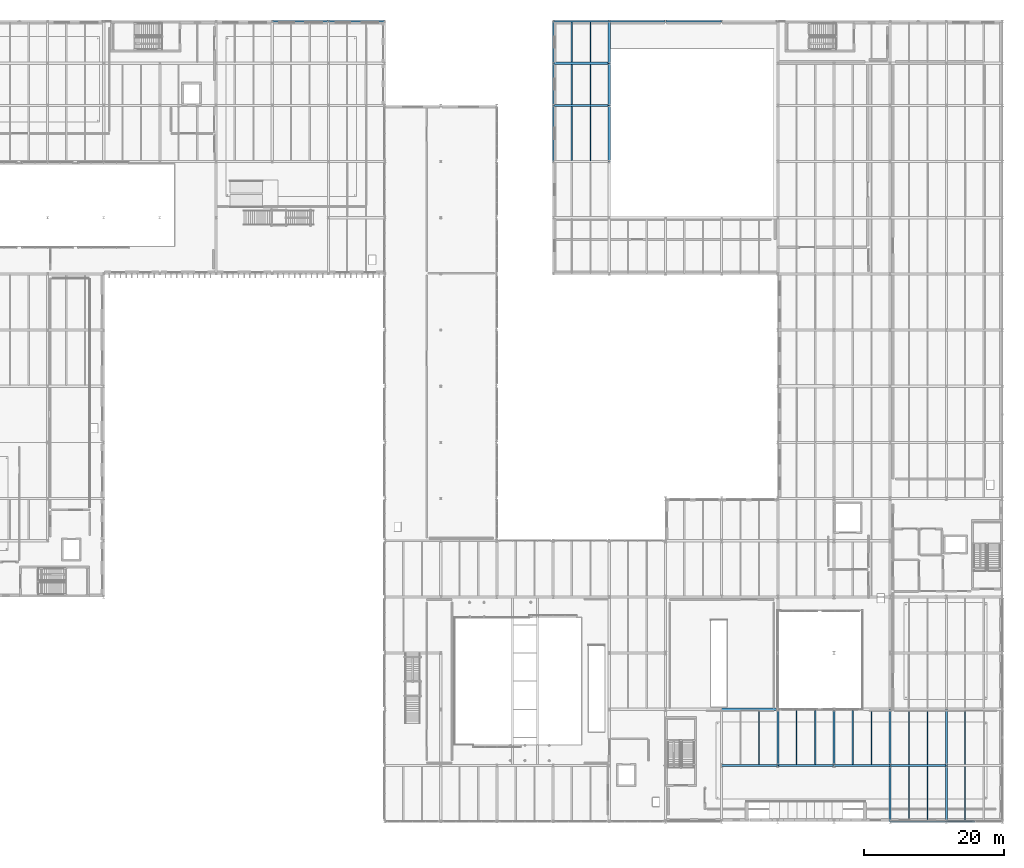
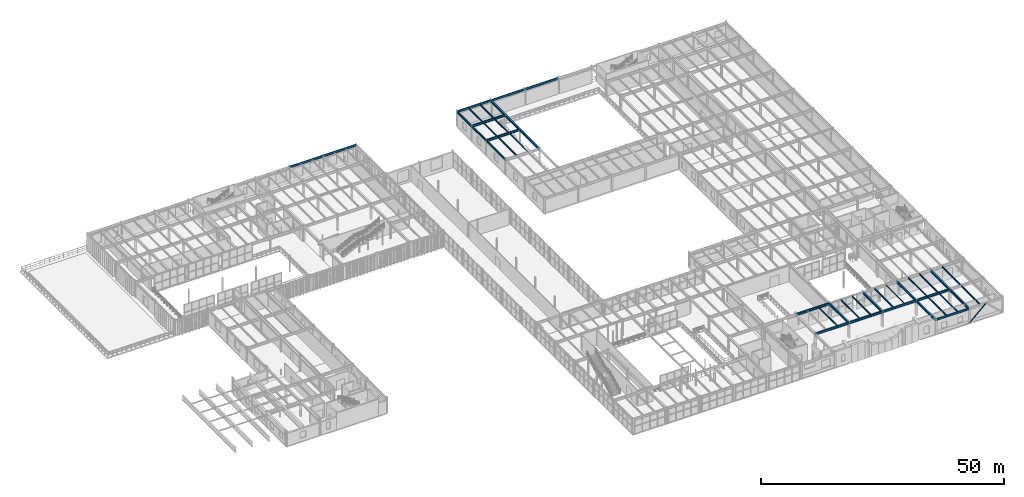
# One storey, part 62 of 122: 42 beams, 1 member.
"""IFC4 building model written with IfcOpenShell, lengths in metres."""

from ifc_helpers import new_model, si_unit, direction, frame, origin, origin_2d, place, context, subcontext, project, spatial, hollow_circle, i_section, extrude, material, material_profile, profile_set, type_object, element, save


model = new_model("IFC4")

# Units and contexts
model_context = context("Model", 3, precision=1e-05, world=origin(), true_north=direction((0.0, 1.0)))
body_context = subcontext(model_context, "Body", "Model", "MODEL_VIEW")
ifc_project = project(units=[si_unit("LENGTHUNIT", "METRE"), si_unit("AREAUNIT", "SQUARE_METRE"), si_unit("VOLUMEUNIT", "CUBIC_METRE"), si_unit("PLANEANGLEUNIT", "RADIAN"), si_unit("MASSUNIT", "GRAM", prefix="KILO")], contexts=[model_context])

# Site, building, storey
site_placement = place(None, origin())
site = spatial("IfcSite", under=ifc_project, at=site_placement, CompositionType="ELEMENT")
building_placement = place(site_placement, origin())
building = spatial("IfcBuilding", under=site, at=building_placement, Name="Sundkrona Museum", CompositionType="ELEMENT")
storey_placement = place(building_placement, frame((0.0, 0.0, 5.39990234375)))
storey = spatial("IfcBuildingStorey", under=building, at=storey_placement, Name="L01", CompositionType="ELEMENT", Elevation=5.39990234375)

# Beams
ifc_material = material(Name="Steel S355J2", Category="steel")
ifc_material_profile_1 = material_profile(ifc_material, i_section(OverallWidth=0.300048828125, OverallDepth=0.5400390625, WebThickness=0.012451171875, FlangeThickness=0.02392578125, FilletRadius=0.027099609375, at=origin_2d()), Name="HEA 550")
ifc_profile_set_1 = profile_set([ifc_material_profile_1], Name="Steel S355J2")
beam_type_1 = type_object("IfcBeamType", Name="B-HEA550", PredefinedType="BEAM", material=ifc_profile_set_1)
for number, where, z_axis, x_axis, name in (
    (1, (128.0, 8.0, 3.650146484375), (1.0, 0.0, 0.0), (0.0, 1.0, 0.0), "L01 Girder X-0820"),
    (2, (136.0, 8.0, 3.650146484375), (1.0, 0.0, 0.0), (0.0, 1.0, 0.0), "L01 Girder X-0821"),
    (3, (144.0, 8.0, 3.650146484375), (1.0, 0.0, 0.0), (0.0, 1.0, 0.0), "L01 Girder X-0822"),
    (4, (152.0, 8.0, 3.650146484375), (1.0, 0.0, 0.0), (0.0, 1.0, 0.0), "L01 Girder X-0823"),
    (5, (128.0, 16.0, 3.650146484375), (1.0, 0.0, 0.0), (0.0, 1.0, 0.0), "L01 Girder X-0827"),
    (6, (104.0, 102.0, 3.670166015625), (1.0, 0.0, 0.0), (0.0, 1.0, 0.0), "L01 Girder X-0929"),
    (7, (104.0, 108.0, 3.670166015625), (1.0, 0.0, 0.0), (0.0, 1.0, 0.0), "L01 Girder X-0942"),
    (8, (112.0, 94.0, 3.670166015625), (0.0, 1.0, 0.0), (-1.0, 0.0, 0.0), "L01 Girder Y-1039"),
):
    element("IfcBeam", number, at=place(storey_placement, frame(where, z_axis=z_axis, x_axis=x_axis)), inside=storey, type_object=beam_type_1, Name=name, PredefinedType="BEAM", context=body_context, shape_type="SweptSolid", body=[
        extrude(i_section(OverallWidth=0.300048828125, OverallDepth=0.5400390625, WebThickness=0.012451171875, FlangeThickness=0.02392578125, FilletRadius=0.027099609375, at=origin_2d()), origin(), (0.0, 0.0, 1.0), 8.0),
    ])
for number, where, z_axis, x_axis, name in (
    (9, (112.0, 102.0, 3.670166015625), (0.0, 1.0, 0.0), (-1.0, 0.0, 0.0), "L01 Girder Y-1040"),
    (10, (112.0, 108.0, 3.670166015625), (0.0, 1.0, 0.0), (-1.0, 0.0, 0.0), "L01 Girder Y-1041"),
):
    element("IfcBeam", number, at=place(storey_placement, frame(where, z_axis=z_axis, x_axis=x_axis)), inside=storey, type_object=beam_type_1, Name=name, PredefinedType="BEAM", context=body_context, shape_type="SweptSolid", body=[
        extrude(i_section(OverallWidth=0.300048828125, OverallDepth=0.5400390625, WebThickness=0.012451171875, FlangeThickness=0.02392578125, FilletRadius=0.027099609375, at=origin_2d()), origin(), (0.0, 0.0, 1.0), 6.0),
    ])
for number, where, z_axis, x_axis, name in (
    (11, (136.0, 8.0, 3.650146484375), (0.0, 1.0, 0.0), (-1.0, 0.0, 0.0), "L01 Girder Y-1054"),
    (12, (144.0, 8.0, 3.650146484375), (0.0, 1.0, 0.0), (-1.0, 0.0, 0.0), "L01 Girder Y-1068"),
    (13, (152.0, 0.0, 3.650146484375), (0.0, 1.0, 0.0), (-1.0, 0.0, 0.0), "L01 Girder Y-1079"),
    (14, (152.0, 8.0, 3.650146484375), (0.0, 1.0, 0.0), (-1.0, 0.0, 0.0), "L01 Girder Y-1080"),
    (15, (160.0, 0.0, 3.650146484375), (0.0, 1.0, 0.0), (-1.0, 0.0, 0.0), "L01 Girder Y-1094"),
    (16, (160.0, 8.0, 3.650146484375), (0.0, 1.0, 0.0), (-1.0, 0.0, 0.0), "L01 Girder Y-1095"),
):
    element("IfcBeam", number, at=place(storey_placement, frame(where, z_axis=z_axis, x_axis=x_axis)), inside=storey, type_object=beam_type_1, Name=name, PredefinedType="BEAM", context=body_context, shape_type="SweptSolid", body=[
        extrude(i_section(OverallWidth=0.300048828125, OverallDepth=0.5400390625, WebThickness=0.012451171875, FlangeThickness=0.02392578125, FilletRadius=0.027099609375, at=origin_2d()), origin(), (0.0, 0.0, 1.0), 8.0),
    ])

# Member
ifc_material_profile_2 = material_profile(ifc_material, hollow_circle(Radius=0.136474609375, WallThickness=0.012451171875, at=origin_2d()), Name="CHS 273.0x12.5")
ifc_profile_set_2 = profile_set([ifc_material_profile_2], Name="Steel S355J2")
member_type = type_object("IfcMemberType", Name="BR-CHS273", PredefinedType="BRACE", material=ifc_profile_set_2)
member_placement = place(storey_placement, frame((160.0, 0.0, 0.0), z_axis=(0.734081571746, 0.0, 0.679061297692), x_axis=(0.0, 1.0, 0.0)))
element("IfcMember", 17, at=member_placement, inside=storey, type_object=member_type, Name="CBR-1 L01 Concentric Chevron Brace 003A", PredefinedType="BRACE", context=body_context, shape_type="SweptSolid", body=[
    extrude(hollow_circle(Radius=0.136474609375, WallThickness=0.012451171875, at=origin_2d()), origin(), (0.0, 0.0, 1.0), 5.448974609375),
])

# Beams
ifc_material_profile_3 = material_profile(ifc_material, i_section(OverallWidth=0.091064453125, OverallDepth=0.179931640625, WebThickness=0.00537109375, FlangeThickness=0.008056640625, FilletRadius=0.009033203125, at=origin_2d()), Name="IPE 180")
ifc_profile_set_3 = profile_set([ifc_material_profile_3], Name="Steel S355J2")
beam_type_2 = type_object("IfcBeamType", Name="J-IPE180", PredefinedType="JOIST", material=ifc_profile_set_3)
beam_1_placement = place(storey_placement, frame((109.333251953125, 94.14404296875, 3.85009765625), z_axis=(0.0, 1.0, 0.0), x_axis=(-1.0, 0.0, 0.0)))
element("IfcBeam", 18, at=beam_1_placement, inside=storey, type_object=beam_type_2, Name="L01 Composite Joist 0655", PredefinedType="JOIST", context=body_context, shape_type="SweptSolid", body=[
    extrude(i_section(OverallWidth=0.091064453125, OverallDepth=0.179931640625, WebThickness=0.00537109375, FlangeThickness=0.008056640625, FilletRadius=0.009033203125, at=origin_2d()), origin(), (0.0, 0.0, 1.0), 7.7119140625),
])
ifc_material_profile_4 = material_profile(ifc_material, i_section(OverallWidth=0.1201171875, OverallDepth=0.239990234375, WebThickness=0.006103515625, FlangeThickness=0.009765625, FilletRadius=0.014892578125, at=origin_2d()), Name="IPE 240")
ifc_profile_set_4 = profile_set([ifc_material_profile_4], Name="Steel S355J2")
beam_type_3 = type_object("IfcBeamType", Name="J-IPE240", PredefinedType="JOIST", material=ifc_profile_set_4)
beam_2_placement = place(storey_placement, frame((149.333251953125, 8.14404296875, 3.800048828125), z_axis=(0.0, 1.0, 0.0), x_axis=(-1.0, 0.0, 0.0)))
element("IfcBeam", 19, at=beam_2_placement, inside=storey, type_object=beam_type_3, Name="L01 Composite Joist 0705", PredefinedType="JOIST", context=body_context, shape_type="SweptSolid", body=[
    extrude(i_section(OverallWidth=0.1201171875, OverallDepth=0.239990234375, WebThickness=0.006103515625, FlangeThickness=0.009765625, FilletRadius=0.014892578125, at=origin_2d()), origin(), (0.0, 0.0, 1.0), 7.7119140625),
])
ifc_material_profile_5 = material_profile(ifc_material, i_section(OverallWidth=0.14990234375, OverallDepth=0.300048828125, WebThickness=0.007080078125, FlangeThickness=0.0107421875, FilletRadius=0.014892578125, at=origin_2d()), Name="IPE 300")
ifc_profile_set_5 = profile_set([ifc_material_profile_5], Name="Steel S355J2")
beam_type_4 = type_object("IfcBeamType", Name="J-IPE300", PredefinedType="JOIST", material=ifc_profile_set_5)
beam_3_placement = place(storey_placement, frame((133.333251953125, 8.14404296875, 3.77001953125), z_axis=(0.0, 1.0, 0.0), x_axis=(-1.0, 0.0, 0.0)))
element("IfcBeam", 20, at=beam_3_placement, inside=storey, type_object=beam_type_4, Name="L01 Composite Joist 0675", PredefinedType="JOIST", context=body_context, shape_type="SweptSolid", body=[
    extrude(i_section(OverallWidth=0.14990234375, OverallDepth=0.300048828125, WebThickness=0.007080078125, FlangeThickness=0.0107421875, FilletRadius=0.014892578125, at=origin_2d()), origin(), (0.0, 0.0, 1.0), 7.7119140625),
])
ifc_material_profile_6 = material_profile(ifc_material, i_section(OverallWidth=0.169921875, OverallDepth=0.360107421875, WebThickness=0.008056640625, FlangeThickness=0.0126953125, FilletRadius=0.01806640625, at=origin_2d()), Name="IPE 360")
ifc_profile_set_6 = profile_set([ifc_material_profile_6], Name="Steel S355J2")
beam_type_5 = type_object("IfcBeamType", Name="J-IPE360", PredefinedType="JOIST", material=ifc_profile_set_6)
beam_4_placement = place(storey_placement, frame((106.666748046875, 94.14404296875, 3.760009765625), z_axis=(0.0, 1.0, 0.0), x_axis=(-1.0, 0.0, 0.0)))
element("IfcBeam", 21, at=beam_4_placement, inside=storey, type_object=beam_type_5, Name="L01 Composite Joist 0654", PredefinedType="JOIST", context=body_context, shape_type="SweptSolid", body=[
    extrude(i_section(OverallWidth=0.169921875, OverallDepth=0.360107421875, WebThickness=0.008056640625, FlangeThickness=0.0126953125, FilletRadius=0.01806640625, at=origin_2d()), origin(), (0.0, 0.0, 1.0), 7.7119140625),
])
for number, where, z_axis, x_axis, name in (
    (22, (106.666748046875, 102.14404296875, 3.760009765625), (0.0, 1.0, 0.0), (-1.0, 0.0, 0.0), "L01 Composite Joist 0656"),
    (23, (109.333251953125, 102.14404296875, 3.760009765625), (0.0, 1.0, 0.0), (-1.0, 0.0, 0.0), "L01 Composite Joist 0657"),
):
    element("IfcBeam", number, at=place(storey_placement, frame(where, z_axis=z_axis, x_axis=x_axis)), inside=storey, type_object=beam_type_5, Name=name, PredefinedType="JOIST", context=body_context, shape_type="SweptSolid", body=[
        extrude(i_section(OverallWidth=0.169921875, OverallDepth=0.360107421875, WebThickness=0.008056640625, FlangeThickness=0.0126953125, FilletRadius=0.01806640625, at=origin_2d()), origin(), (0.0, 0.0, 1.0), 5.7119140625),
    ])
for number, where, z_axis, x_axis, name in (
    (24, (106.666748046875, 108.14404296875, 3.760009765625), (0.0, 1.0, 0.0), (-1.0, 0.0, 0.0), "L01 Composite Joist 0658"),
    (25, (109.333251953125, 108.14404296875, 3.760009765625), (0.0, 1.0, 0.0), (-1.0, 0.0, 0.0), "L01 Composite Joist 0659"),
):
    element("IfcBeam", number, at=place(storey_placement, frame(where, z_axis=z_axis, x_axis=x_axis)), inside=storey, type_object=beam_type_5, Name=name, PredefinedType="JOIST", context=body_context, shape_type="SweptSolid", body=[
        extrude(i_section(OverallWidth=0.169921875, OverallDepth=0.360107421875, WebThickness=0.008056640625, FlangeThickness=0.0126953125, FilletRadius=0.01806640625, at=origin_2d()), origin(), (0.0, 0.0, 1.0), 5.761962890625),
    ])
for number, where, z_axis, x_axis, name in (
    (26, (138.666748046875, 8.14404296875, 3.739990234375), (0.0, 1.0, 0.0), (-1.0, 0.0, 0.0), "L01 Composite Joist 0682"),
    (27, (141.333251953125, 8.14404296875, 3.739990234375), (0.0, 1.0, 0.0), (-1.0, 0.0, 0.0), "L01 Composite Joist 0683"),
    (28, (146.666748046875, 8.14404296875, 3.739990234375), (0.0, 1.0, 0.0), (-1.0, 0.0, 0.0), "L01 Composite Joist 0704"),
):
    element("IfcBeam", number, at=place(storey_placement, frame(where, z_axis=z_axis, x_axis=x_axis)), inside=storey, type_object=beam_type_5, Name=name, PredefinedType="JOIST", context=body_context, shape_type="SweptSolid", body=[
        extrude(i_section(OverallWidth=0.169921875, OverallDepth=0.360107421875, WebThickness=0.008056640625, FlangeThickness=0.0126953125, FilletRadius=0.01806640625, at=origin_2d()), origin(), (0.0, 0.0, 1.0), 7.7119140625),
    ])
for number, where, z_axis, x_axis, name in (
    (29, (154.666748046875, 0.093994140625, 3.739990234375), (0.0, 1.0, 0.0), (-1.0, 0.0, 0.0), "L01 Composite Joist 0726"),
    (30, (157.333251953125, 0.093994140625, 3.739990234375), (0.0, 1.0, 0.0), (-1.0, 0.0, 0.0), "L01 Composite Joist 0727"),
):
    element("IfcBeam", number, at=place(storey_placement, frame(where, z_axis=z_axis, x_axis=x_axis)), inside=storey, type_object=beam_type_5, Name=name, PredefinedType="JOIST", context=body_context, shape_type="SweptSolid", body=[
        extrude(i_section(OverallWidth=0.169921875, OverallDepth=0.360107421875, WebThickness=0.008056640625, FlangeThickness=0.0126953125, FilletRadius=0.01806640625, at=origin_2d()), origin(), (0.0, 0.0, 1.0), 7.761962890625),
    ])
for number, where, z_axis, x_axis, name in (
    (31, (154.666748046875, 8.14404296875, 3.739990234375), (0.0, 1.0, 0.0), (-1.0, 0.0, 0.0), "L01 Composite Joist 0728"),
    (32, (157.333251953125, 8.14404296875, 3.739990234375), (0.0, 1.0, 0.0), (-1.0, 0.0, 0.0), "L01 Composite Joist 0729"),
):
    element("IfcBeam", number, at=place(storey_placement, frame(where, z_axis=z_axis, x_axis=x_axis)), inside=storey, type_object=beam_type_5, Name=name, PredefinedType="JOIST", context=body_context, shape_type="SweptSolid", body=[
        extrude(i_section(OverallWidth=0.169921875, OverallDepth=0.360107421875, WebThickness=0.008056640625, FlangeThickness=0.0126953125, FilletRadius=0.01806640625, at=origin_2d()), origin(), (0.0, 0.0, 1.0), 7.7119140625),
    ])
beam_5_placement = place(storey_placement, frame((162.666748046875, 0.093994140625, 3.739990234375), z_axis=(0.0, 1.0, 0.0), x_axis=(-1.0, 0.0, 0.0)))
element("IfcBeam", 33, at=beam_5_placement, inside=storey, type_object=beam_type_5, Name="L01 Composite Joist 0752", PredefinedType="JOIST", context=body_context, shape_type="SweptSolid", body=[
    extrude(i_section(OverallWidth=0.169921875, OverallDepth=0.360107421875, WebThickness=0.008056640625, FlangeThickness=0.0126953125, FilletRadius=0.01806640625, at=origin_2d()), origin(), (0.0, 0.0, 1.0), 7.761962890625),
])
beam_6_placement = place(storey_placement, frame((162.666748046875, 8.14404296875, 3.739990234375), z_axis=(0.0, 1.0, 0.0), x_axis=(-1.0, 0.0, 0.0)))
element("IfcBeam", 34, at=beam_6_placement, inside=storey, type_object=beam_type_5, Name="L01 Composite Joist 0754", PredefinedType="JOIST", context=body_context, shape_type="SweptSolid", body=[
    extrude(i_section(OverallWidth=0.169921875, OverallDepth=0.360107421875, WebThickness=0.008056640625, FlangeThickness=0.0126953125, FilletRadius=0.01806640625, at=origin_2d()), origin(), (0.0, 0.0, 1.0), 7.7119140625),
])
ifc_material_profile_7 = material_profile(ifc_material, i_section(OverallWidth=0.199951171875, OverallDepth=0.5, WebThickness=0.01025390625, FlangeThickness=0.01611328125, FilletRadius=0.02099609375, at=origin_2d()), Name="IPE 500")
ifc_profile_set_7 = profile_set([ifc_material_profile_7], Name="Steel S355J2")
beam_type_6 = type_object("IfcBeamType", Name="SP-IPE500", PredefinedType="SPANDREL", material=ifc_profile_set_7)
for number, where, z_axis, x_axis, name in (
    (35, (152.0, 0.0, 3.670166015625), (1.0, 0.0, 0.0), (0.0, 1.0, 0.0), "L01 Girder X-0814"),
    (36, (64.0, 114.0, 3.710205078125), (1.0, 0.0, 0.0), (0.0, 1.0, 0.0), "L01 Girder X-0953"),
    (37, (72.0, 114.0, 3.710205078125), (1.0, 0.0, 0.0), (0.0, 1.0, 0.0), "L01 Girder X-0954"),
    (38, (104.0, 114.0, 3.690185546875), (1.0, 0.0, 0.0), (0.0, 1.0, 0.0), "L01 Girder X-0955"),
    (39, (112.0, 114.0, 3.690185546875), (1.0, 0.0, 0.0), (0.0, 1.0, 0.0), "L01 Girder X-0956"),
    (40, (120.0, 114.0, 3.690185546875), (1.0, 0.0, 0.0), (0.0, 1.0, 0.0), "L01 Girder X-0957"),
    (41, (104.0, 94.0, 3.690185546875), (0.0, 1.0, 0.0), (-1.0, 0.0, 0.0), "L01 Girder Y-1029"),
):
    element("IfcBeam", number, at=place(storey_placement, frame(where, z_axis=z_axis, x_axis=x_axis)), inside=storey, type_object=beam_type_6, Name=name, PredefinedType="SPANDREL", context=body_context, shape_type="SweptSolid", body=[
        extrude(i_section(OverallWidth=0.199951171875, OverallDepth=0.5, WebThickness=0.01025390625, FlangeThickness=0.01611328125, FilletRadius=0.02099609375, at=origin_2d()), origin(), (0.0, 0.0, 1.0), 8.0),
    ])
for number, where, z_axis, x_axis, name in (
    (42, (104.0, 102.0, 3.690185546875), (0.0, 1.0, 0.0), (-1.0, 0.0, 0.0), "L01 Girder Y-1030"),
    (43, (104.0, 108.0, 3.690185546875), (0.0, 1.0, 0.0), (-1.0, 0.0, 0.0), "L01 Girder Y-1031"),
):
    element("IfcBeam", number, at=place(storey_placement, frame(where, z_axis=z_axis, x_axis=x_axis)), inside=storey, type_object=beam_type_6, Name=name, PredefinedType="SPANDREL", context=body_context, shape_type="SweptSolid", body=[
        extrude(i_section(OverallWidth=0.199951171875, OverallDepth=0.5, WebThickness=0.01025390625, FlangeThickness=0.01611328125, FilletRadius=0.02099609375, at=origin_2d()), origin(), (0.0, 0.0, 1.0), 6.0),
    ])

save(model, "model.ifc")
